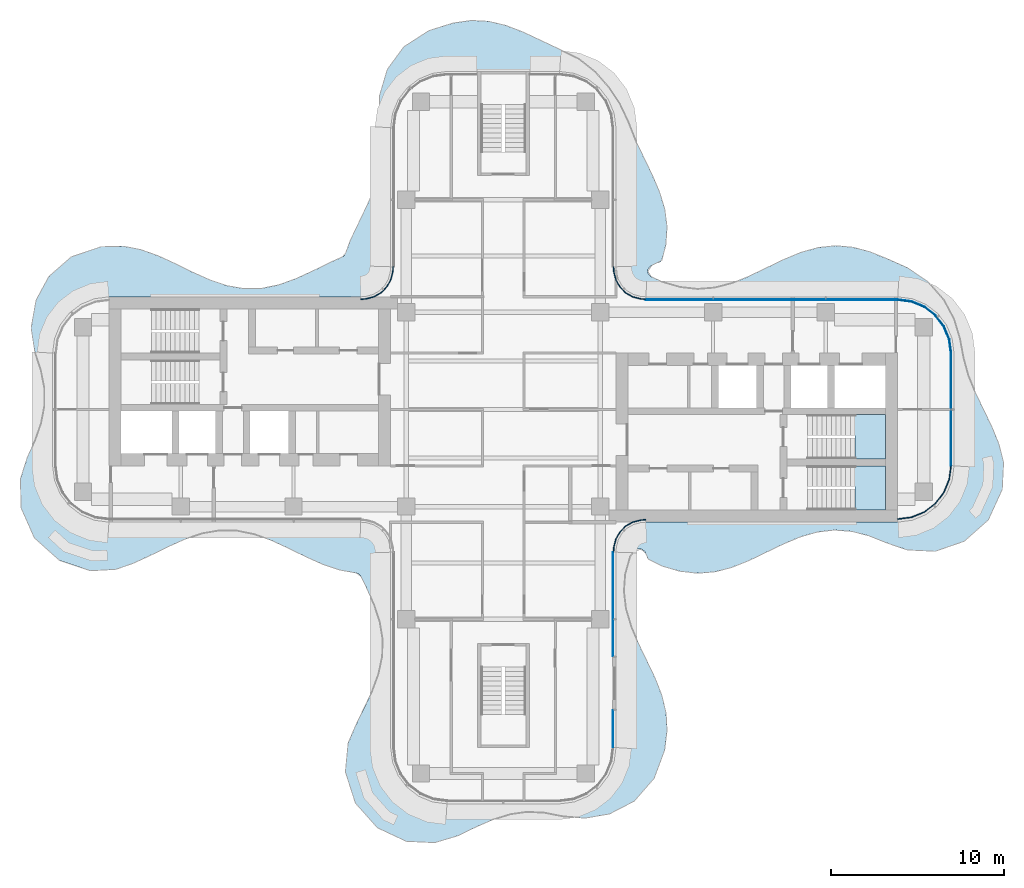
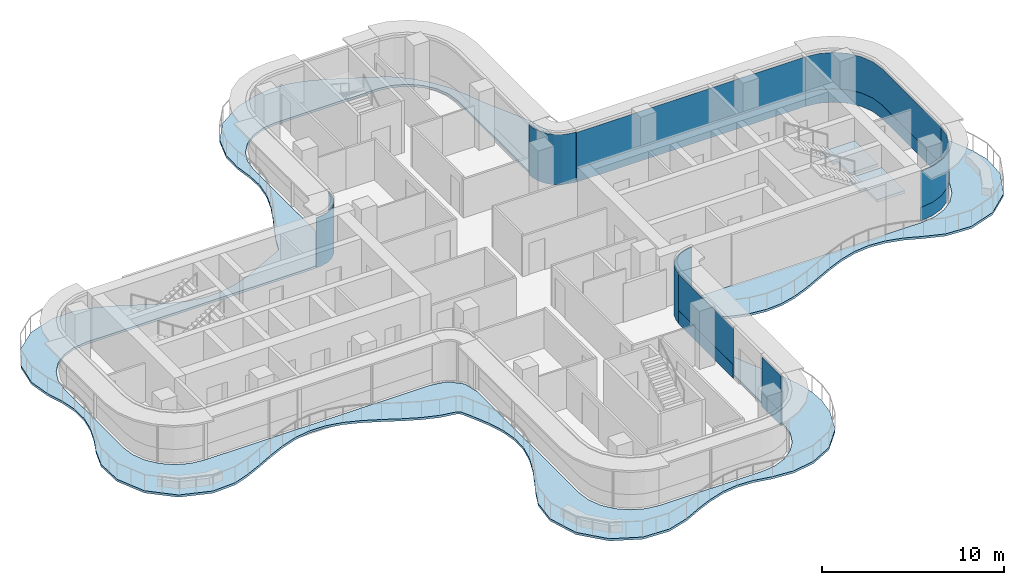
# One storey, part 9 of 15: 13 plates, 3 slabs, 10 elements without a shape of their own.
"""IFC4 building model written with IfcOpenShell, lengths in metres."""

from ifc_helpers import new_model, si_unit, direction, frame, origin, place, context, subcontext, project, spatial, polyline, outline, extrude, source, transform, mapped, material, layer, layer_set, type_object, element, aggregate, save


model = new_model("IFC4")

# Units and contexts
model_context = context("Model", 3, precision=1e-05, world=origin(), true_north=direction((0.0, 1.0)))
body_context = subcontext(model_context, "Body", "Model", "MODEL_VIEW")
ifc_project = project(units=[si_unit("LENGTHUNIT", "METRE"), si_unit("AREAUNIT", "SQUARE_METRE"), si_unit("VOLUMEUNIT", "CUBIC_METRE"), si_unit("PLANEANGLEUNIT", "RADIAN"), si_unit("MASSUNIT", "GRAM", prefix="KILO")], contexts=[model_context])

# Site, building, storey
site_placement = place(None, origin())
site = spatial("IfcSite", under=ifc_project, at=site_placement, CompositionType="ELEMENT")
building_placement = place(site_placement, origin())
building = spatial("IfcBuilding", under=site, at=building_placement, Name="Trellis Farm Tower", CompositionType="ELEMENT")
storey_placement = place(building_placement, frame((0.0, 0.0, 326.199951171875)))
storey = spatial("IfcBuildingStorey", under=building, at=storey_placement, Name="L74", CompositionType="ELEMENT", Elevation=326.199951171875)

# Slab
ifc_material_1 = material(Name="Concrete C40/50", Category="concrete")
ifc_layer_1 = layer(ifc_material_1, 0.14990234375)
ifc_layer_set_1 = layer_set([ifc_layer_1], Name="Balcony slab 150")
slab_type_1 = type_object("IfcSlabType", Name="Balcony slab 150", PredefinedType="FLOOR", material=ifc_layer_set_1)
slab_1_placement = place(storey_placement, frame((0.0, 0.0, -0.14990234375)))
element("IfcSlab", 1, at=slab_1_placement, inside=storey, type_object=slab_type_1, Name="Balcony slab", PredefinedType="FLOOR", context=body_context, shape_type="SweptSolid", body=[
    extrude(outline(polyline([(-27.0078125, -1.767333984375), (-26.667236328125, -0.789794921875), (-26.664306640625, -0.779052734375), (-26.4794921875, 0.197021484375), (-26.478271484375, 0.21142578125), (-26.482666015625, 1.2578125), (-26.484130859375, 1.27197265625), (-26.675537109375, 2.24560546875), (-26.677734375, 2.254638671875), (-27.017333984375, 3.288330078125), (-27.02294921875, 3.3115234375), (-27.2373046875, 4.6669921875), (-27.237060546875, 4.71630859375), (-26.966064453125, 6.2685546875), (-26.9501953125, 6.314208984375), (-26.208984375, 7.6796875), (-26.19384765625, 7.702392578125), (-26.171630859375, 7.72998046875), (-26.152587890625, 7.74951171875), (-24.92431640625, 8.802734375), (-24.900390625, 8.819580078125), (-24.8671875, 8.83837890625), (-24.84033203125, 8.85009765625), (-23.207763671875, 9.3857421875), (-23.1640625, 9.393310546875), (-21.92333984375, 9.418212890625), (-21.89111328125, 9.415283203125), (-20.915771484375, 9.222412109375), (-20.894287109375, 9.216552734375), (-19.90966796875, 8.864990234375), (-19.897216796875, 8.860107421875), (-18.90380859375, 8.40283203125), (-18.900390625, 8.401123046875), (-17.899169921875, 7.908935546875), (-17.896728515625, 7.90771484375), (-16.9267578125, 7.473876953125), (-16.919921875, 7.47119140625), (-15.942626953125, 7.143310546875), (-15.931640625, 7.140380859375), (-14.955078125, 6.97119140625), (-14.941162109375, 6.97021484375), (-13.95849609375, 6.985595703125), (-13.94482421875, 6.9873046875), (-12.952880859375, 7.189208984375), (-12.9423828125, 7.192138671875), (-11.94384765625, 7.552734375), (-11.937744140625, 7.55517578125), (-10.93505859375, 8.01904296875), (-10.93359375, 8.019775390625), (-9.940185546875, 8.508056640625), (-9.93505859375, 8.510498046875), (-9.301513671875, 8.79150390625), (-9.288818359375, 8.799072265625), (-9.19384765625, 8.8662109375), (-9.173583984375, 8.8876953125), (-9.112548828125, 8.986572265625), (-9.10595703125, 9.0), (-8.82080078125, 9.76708984375), (-8.816162109375, 9.7783203125), (-8.35791015625, 10.759765625), (-8.356689453125, 10.76220703125), (-7.865234375, 11.76416015625), (-7.86376953125, 11.766845703125), (-7.438232421875, 12.734619140625), (-7.435546875, 12.74169921875), (-7.12060546875, 13.718505859375), (-7.11767578125, 13.73046875), (-6.9609375, 14.773681640625), (-6.960205078125, 14.787841796875), (-7.00048828125, 15.75732421875), (-7.001220703125, 15.7646484375), (-7.15087890625, 16.831787109375), (-7.152587890625, 16.853759765625), (-7.14306640625, 18.093505859375), (-7.136962890625, 18.134765625), (-6.7138671875, 19.5732421875), (-6.691650390625, 19.61865234375), (-5.78515625, 20.87451171875), (-5.7666015625, 20.8955078125), (-5.740234375, 20.920654296875), (-5.71826171875, 20.93798828125), (-4.295654296875, 21.851806640625), (-4.259033203125, 21.868896484375), (-2.89453125, 22.293212890625), (-2.87109375, 22.298583984375), (-1.87158203125, 22.44091796875), (-1.8427734375, 22.4423828125), (-0.8759765625, 22.392578125), (-0.849365234375, 22.388916015625), (0.119384765625, 22.1611328125), (0.138916015625, 22.1552734375), (1.115234375, 21.781494140625), (1.12548828125, 21.777099609375), (3.152099609375, 20.823486328125), (3.154296875, 20.822509765625), (4.3291015625, 20.246337890625), (4.356201171875, 20.229248046875), (5.30078125, 19.479248046875), (5.320068359375, 19.460693359375), (6.0908203125, 18.58447265625), (6.10302734375, 18.568115234375), (6.707763671875, 17.654541015625), (6.71826171875, 17.635986328125), (7.2080078125, 16.601318359375), (7.212158203125, 16.591796875), (7.6416015625, 15.498291015625), (7.64404296875, 15.4931640625), (8.593505859375, 13.521484375), (8.59619140625, 13.515380859375), (9.015380859375, 12.534912109375), (9.02099609375, 12.519287109375), (9.313720703125, 11.5478515625), (9.318603515625, 11.523681640625), (9.443603515625, 10.55712890625), (9.444580078125, 10.528076171875), (9.37890625, 9.52880859375), (9.37451171875, 9.501220703125), (9.14501953125, 8.61328125), (9.056396484375, 8.511962890625), (8.5546875, 8.30712890625), (8.536865234375, 8.296630859375), (8.40380859375, 8.1923828125), (8.37939453125, 8.15771484375), (8.32958984375, 8.00830078125), (8.328369140625, 7.966064453125), (8.369384765625, 7.81396484375), (8.3916015625, 7.778076171875), (8.517822265625, 7.666748046875), (8.536376953125, 7.65478515625), (9.194580078125, 7.35595703125), (9.204833984375, 7.35205078125), (10.194091796875, 7.0673828125), (10.20654296875, 7.064697265625), (11.19384765625, 6.95458984375), (11.2080078125, 6.954345703125), (12.18701171875, 7.032958984375), (12.19970703125, 7.03515625), (13.17578125, 7.288330078125), (13.184814453125, 7.291259765625), (14.142333984375, 7.672607421875), (14.147216796875, 7.6748046875), (16.139892578125, 8.63525390625), (16.1474609375, 8.638671875), (17.14599609375, 9.05517578125), (17.162841796875, 9.06103515625), (18.142822265625, 9.33837890625), (18.16796875, 9.343505859375), (19.138916015625, 9.446533203125), (19.167724609375, 9.447021484375), (20.134521484375, 9.363525390625), (20.16015625, 9.359130859375), (21.130126953125, 9.101806640625), (21.147705078125, 9.095947265625), (22.12548828125, 8.701416015625), (22.13037109375, 8.69921875), (23.31591796875, 8.171142578125), (23.339599609375, 8.158203125), (24.510009765625, 7.360107421875), (24.538818359375, 7.334228515625), (25.4169921875, 6.317138671875), (25.43603515625, 6.288818359375), (26.001953125, 5.21240234375), (26.012939453125, 5.185302734375), (26.339111328125, 4.089599609375), (26.343017578125, 4.073974609375), (26.545166015625, 2.982177734375), (26.54638671875, 2.97607421875), (26.819091796875, 1.9765625), (26.822021484375, 1.968017578125), (27.222900390625, 0.988525390625), (27.224853515625, 0.984375), (28.176513671875, -0.987060546875), (28.180419921875, -0.99560546875), (28.57958984375, -1.972412109375), (28.586181640625, -1.99169921875), (28.851318359375, -3.01708984375), (28.855712890625, -3.061279296875), (28.790283203125, -4.551025390625), (28.7861328125, -4.579345703125), (28.777587890625, -4.615234375), (28.768310546875, -4.642333984375), (28.011962890625, -6.31494140625), (27.995849609375, -6.34228515625), (27.9716796875, -6.375), (27.9501953125, -6.3984375), (26.609375, -7.583251953125), (26.58544921875, -7.6005859375), (26.55224609375, -7.619873046875), (26.525390625, -7.632080078125), (24.941650390625, -8.17138671875), (24.914306640625, -8.177734375), (24.87890625, -8.182861328125), (24.85009765625, -8.18408203125), (23.33447265625, -8.107666015625), (23.29345703125, -8.099853515625), (22.133056640625, -7.701171875), (22.1259765625, -7.698486328125), (21.112060546875, -7.292724609375), (21.10302734375, -7.289794921875), (20.108642578125, -7.03271484375), (20.095703125, -7.030517578125), (19.110107421875, -6.95458984375), (19.095947265625, -6.955078125), (18.1181640625, -7.06689453125), (18.10595703125, -7.069580078125), (17.12939453125, -7.35107421875), (17.12109375, -7.35400390625), (16.14111328125, -7.764404296875), (16.137451171875, -7.76611328125), (14.166015625, -8.71728515625), (14.156005859375, -8.721435546875), (13.15771484375, -9.1181640625), (13.139404296875, -9.1240234375), (12.19091796875, -9.3671875), (12.165283203125, -9.371337890625), (11.198486328125, -9.4462890625), (11.16943359375, -9.44580078125), (10.169921875, -9.328369140625), (10.144775390625, -9.3232421875), (9.17431640625, -9.036376953125), (9.14990234375, -9.027099609375), (8.372314453125, -8.64111328125), (8.2958984375, -8.55126953125), (8.222900390625, -8.31689453125), (8.21630859375, -8.302001953125), (8.146484375, -8.18017578125), (8.122314453125, -8.154541015625), (8.0048828125, -8.079345703125), (7.989013671875, -8.071533203125), (7.949951171875, -8.058349609375), (7.927490234375, -8.05419921875), (7.749267578125, -8.050537109375), (7.70654296875, -8.063232421875), (7.559326171875, -8.163818359375), (7.54248046875, -8.179443359375), (7.316650390625, -8.46875), (7.308349609375, -8.482177734375), (7.251708984375, -8.598876953125), (7.24609375, -8.613525390625), (7.02734375, -9.493408203125), (7.025390625, -9.506103515625), (6.955078125, -10.485107421875), (6.95556640625, -10.49951171875), (7.07421875, -11.487060546875), (7.076904296875, -11.49951171875), (7.384033203125, -12.5322265625), (7.386962890625, -12.540283203125), (7.806396484375, -13.52099609375), (7.8076171875, -13.52392578125), (8.757080078125, -15.49560546875), (8.761962890625, -15.506591796875), (9.140869140625, -16.482666015625), (9.146728515625, -16.501953125), (9.386474609375, -17.50146484375), (9.390380859375, -17.5283203125), (9.443359375, -18.49755859375), (9.4423828125, -18.5234375), (9.31005859375, -19.6318359375), (9.302001953125, -19.666015625), (8.727783203125, -21.221923828125), (8.716064453125, -21.24658203125), (8.6982421875, -21.276611328125), (8.682373046875, -21.298583984375), (7.574462890625, -22.5712890625), (7.55419921875, -22.5908203125), (7.52587890625, -22.613037109375), (7.501708984375, -22.628662109375), (6.1640625, -23.316650390625), (6.12109375, -23.3310546875), (4.74560546875, -23.571044921875), (4.707763671875, -23.57275390625), (3.453125, -23.469970703125), (3.436279296875, -23.467529296875), (2.351318359375, -23.25439453125), (2.340087890625, -23.2529296875), (1.349609375, -23.211181640625), (1.3359375, -23.2119140625), (0.413818359375, -23.344482421875), (0.402099609375, -23.346923828125), (-0.629638671875, -23.668212890625), (-0.63720703125, -23.6708984375), (-1.603759765625, -24.092041015625), (-1.606689453125, -24.093505859375), (-2.61083984375, -24.5830078125), (-2.633056640625, -24.591796875), (-3.907958984375, -24.977783203125), (-3.957275390625, -24.98388671875), (-5.530517578125, -24.92236328125), (-5.559814453125, -24.918212890625), (-5.59716796875, -24.9091796875), (-5.625, -24.8994140625), (-7.211181640625, -24.162109375), (-7.2373046875, -24.146484375), (-7.26904296875, -24.123046875), (-7.29150390625, -24.102294921875), (-8.512939453125, -22.731201171875), (-8.53125, -22.70556640625), (-8.551513671875, -22.669921875), (-8.564208984375, -22.640869140625), (-9.110107421875, -20.899169921875), (-9.1162109375, -20.86962890625), (-9.1201171875, -20.831298828125), (-9.1201171875, -20.80029296875), (-8.962158203125, -19.2822265625), (-8.950927734375, -19.239013671875), (-8.531982421875, -18.25830078125), (-8.52880859375, -18.2509765625), (-8.042236328125, -17.260009765625), (-8.04150390625, -17.2587890625), (-7.57470703125, -16.255859375), (-7.572265625, -16.25), (-7.20556640625, -15.251220703125), (-7.202392578125, -15.24072265625), (-6.992431640625, -14.24853515625), (-6.990966796875, -14.235107421875), (-6.966796875, -13.251953125), (-6.9677734375, -13.238037109375), (-7.12890625, -12.26123046875), (-7.131591796875, -12.25), (-7.453369140625, -11.27294921875), (-7.455810546875, -11.265869140625), (-7.8916015625, -10.284423828125), (-7.892822265625, -10.281982421875), (-8.213134765625, -9.63037109375), (-8.22265625, -9.615478515625), (-8.309814453125, -9.510498046875), (-8.33740234375, -9.48974609375), (-8.462890625, -9.435546875), (-8.4794921875, -9.430419921875), (-9.4130859375, -9.26513671875), (-9.434326171875, -9.259521484375), (-10.392578125, -8.939697265625), (-10.40625, -8.9345703125), (-11.3984375, -8.491455078125), (-11.4033203125, -8.4892578125), (-12.395263671875, -8.001220703125), (-12.39697265625, -8.00048828125), (-13.37939453125, -7.547607421875), (-13.38525390625, -7.544921875), (-14.36328125, -7.192626953125), (-14.37353515625, -7.189697265625), (-15.349853515625, -6.9892578125), (-15.36328125, -6.987548828125), (-16.344482421875, -6.96875), (-16.3583984375, -6.9697265625), (-17.3486328125, -7.138916015625), (-17.360107421875, -7.141845703125), (-18.357666015625, -7.47705078125), (-18.364501953125, -7.4794921875), (-19.36669921875, -7.9296875), (-19.368896484375, -7.930908203125), (-20.365234375, -8.421142578125), (-20.368896484375, -8.423095703125), (-21.352294921875, -8.873046875), (-21.364501953125, -8.878173828125), (-22.318115234375, -9.21533203125), (-22.359130859375, -9.2236328125), (-23.760986328125, -9.3056640625), (-23.789794921875, -9.3046875), (-23.82568359375, -9.2998046875), (-23.853271484375, -9.29345703125), (-25.598876953125, -8.7099609375), (-25.62744140625, -8.697021484375), (-25.662109375, -8.676513671875), (-25.687255859375, -8.657958984375), (-27.02880859375, -7.43212890625), (-27.049560546875, -7.408935546875), (-27.072998046875, -7.37646484375), (-27.08837890625, -7.349365234375), (-27.797119140625, -5.74267578125), (-27.806396484375, -5.715087890625), (-27.814697265625, -5.678466796875), (-27.818115234375, -5.649658203125), (-27.862060546875, -4.053466796875), (-27.85498046875, -4.003662109375), (-27.46044921875, -2.769287109375), (-27.4541015625, -2.753173828125), (-27.01025390625, -1.773681640625), (-27.0078125, -1.767333984375)]), holes=[polyline([(-6.593017578125, 7.72998046875), (-7.0166015625, 7.00244140625), (-7.045166015625, 6.967041015625), (-7.0869140625, 6.928955078125), (-7.124755859375, 6.90380859375), (-7.896484375, 6.545654296875), (-7.92578125, 6.53564453125), (-7.96435546875, 6.526611328125), (-7.994873046875, 6.522705078125), (-8.91552734375, 6.50048828125), (-22.75, 6.50048828125), (-23.59130859375, 6.389892578125), (-24.375244140625, 6.065185546875), (-25.048583984375, 5.548583984375), (-25.565185546875, 4.875244140625), (-25.889892578125, 4.09130859375), (-26.00048828125, 3.25), (-26.00048828125, -3.25), (-25.889892578125, -4.09130859375), (-25.565185546875, -4.875244140625), (-25.048583984375, -5.548583984375), (-24.375244140625, -6.065185546875), (-23.59130859375, -6.389892578125), (-22.75, -6.50048828125), (-8.43701171875, -6.50048828125), (-8.41796875, -6.502197265625), (-7.5166015625, -6.66064453125), (-7.47509765625, -6.67431640625), (-7.42724609375, -6.698486328125), (-7.391845703125, -6.72314453125), (-6.78564453125, -7.29248046875), (-6.7587890625, -7.326416015625), (-6.731689453125, -7.37255859375), (-6.71533203125, -7.413330078125), (-6.504150390625, -8.30078125), (-6.50048828125, -8.33056640625), (-6.50048828125, -19.5), (-6.389892578125, -20.34130859375), (-6.065185546875, -21.125244140625), (-5.548583984375, -21.798583984375), (-4.875244140625, -22.315185546875), (-4.09130859375, -22.639892578125), (-3.25, -22.75048828125), (3.25, -22.75048828125), (4.09130859375, -22.639892578125), (4.875244140625, -22.315185546875), (5.548583984375, -21.798583984375), (6.065185546875, -21.125244140625), (6.389892578125, -20.34130859375), (6.50048828125, -19.5), (6.50048828125, -14.7783203125), (6.50146484375, -8.531982421875), (6.502685546875, -8.51318359375), (6.6162109375, -7.62060546875), (6.627197265625, -7.580810546875), (6.6474609375, -7.532958984375), (6.6689453125, -7.49755859375), (7.19287109375, -6.849853515625), (7.2255859375, -6.81982421875), (7.270751953125, -6.789306640625), (7.31201171875, -6.769775390625), (8.18359375, -6.509521484375), (8.2265625, -6.50341796875), (19.6259765625, -6.50048828125), (22.75, -6.50048828125), (23.59130859375, -6.389892578125), (24.375244140625, -6.065185546875), (25.048583984375, -5.548583984375), (25.565185546875, -4.875244140625), (25.889892578125, -4.09130859375), (26.00048828125, -3.25), (26.00048828125, 3.25), (25.889892578125, 4.09130859375), (25.565185546875, 4.875244140625), (25.048583984375, 5.548583984375), (24.375244140625, 6.065185546875), (23.59130859375, 6.389892578125), (22.75, 6.50048828125), (19.626220703125, 6.50048828125), (8.2265625, 6.50341796875), (8.18359375, 6.509521484375), (7.31201171875, 6.769775390625), (7.270751953125, 6.789306640625), (7.2255859375, 6.81982421875), (7.19287109375, 6.849853515625), (6.6689453125, 7.49755859375), (6.6474609375, 7.532958984375), (6.627197265625, 7.580810546875), (6.6162109375, 7.62060546875), (6.502685546875, 8.51318359375), (6.50146484375, 8.531982421875), (6.50048828125, 12.0361328125), (6.50048828125, 16.25), (6.389892578125, 17.09130859375), (6.065185546875, 17.875244140625), (5.548583984375, 18.548583984375), (4.875244140625, 19.065185546875), (4.09130859375, 19.389892578125), (3.25, 19.50048828125), (-3.25, 19.50048828125), (-4.09130859375, 19.389892578125), (-4.875244140625, 19.065185546875), (-5.548583984375, 18.548583984375), (-6.065185546875, 17.875244140625), (-6.389892578125, 17.09130859375), (-6.50048828125, 16.25), (-6.50048828125, 8.7666015625), (-6.56005859375, 7.838134765625), (-6.56640625, 7.80419921875), (-6.5791015625, 7.76171875), (-6.593017578125, 7.72998046875)])]), origin(), (0.0, 0.0, 1.0), 0.14990234375),
])

# Curtain wall, plate
ifc_material_2 = material(Name="Aluminium and glass curtain wall", Category="aluminium")
ifc_layer_2 = layer(ifc_material_2, 0.18994140625)
ifc_layer_set_2 = layer_set([ifc_layer_2], Name="RIBBON CURTAIN WALL CW1")
curtain_wall_type_1 = type_object("IfcCurtainWallType", Name="RIBBON CURTAIN WALL CW1", PredefinedType="NOTDEFINED", material=ifc_layer_set_2)
placement_1 = place(storey_placement, origin())
curtain_wall_1 = element("IfcCurtainWall", 2, at=placement_1, inside=storey, type_object=curtain_wall_type_1, Name="CW1 004", PredefinedType="NOTDEFINED")
ifc_material_3 = material(Name="Clear insulated glass", Category="glass")
ifc_layer_3 = layer(ifc_material_3, 0.0400390625)
ifc_layer_set_3 = layer_set([ifc_layer_3], Name="CW1 GLASS PANEL 40")
plate_type_1 = type_object("IfcPlateType", Name="CW1 GLASS PANEL 40", PredefinedType="CURTAIN_PANEL", material=ifc_layer_set_3)
placement_2 = place(storey_placement, frame((0.0, 0.0, 0.900146484375)))
plate_1 = element("IfcPlate", 3, at=placement_2, type_object=plate_type_1, Name="PL1 004", PredefinedType="CURTAIN_PANEL", context=body_context, shape_type="SweptSolid", body=[
    extrude(outline(polyline([(6.35009765625, -19.490234375), (6.35009765625, -17.360107421875), (6.31005859375, -17.360107421875), (6.31005859375, -19.487548828125), (6.35009765625, -19.490234375)])), origin(), (0.0, 0.0, 1.0), 2.419921875),
])

curtain_wall_2 = element("IfcCurtainWall", 4, at=placement_1, inside=storey, type_object=curtain_wall_type_1, Name="CW1 005", PredefinedType="NOTDEFINED")
plate_2 = element("IfcPlate", 5, at=placement_2, type_object=plate_type_1, Name="PL1 005", PredefinedType="CURTAIN_PANEL", context=body_context, shape_type="SweptSolid", body=[
    extrude(outline(polyline([(6.35009765625, -14.239990234375), (6.35009765625, -8.2265625), (6.31005859375, -8.22509765625), (6.31005859375, -14.239990234375), (6.35009765625, -14.239990234375)])), origin(), (0.0, 0.0, 1.0), 2.419921875),
])

curtain_wall_3 = element("IfcCurtainWall", 6, at=placement_1, inside=storey, type_object=curtain_wall_type_1, Name="CW1 006", PredefinedType="NOTDEFINED")
plate_3 = element("IfcPlate", 7, at=placement_2, type_object=plate_type_1, Name="PL1 006", PredefinedType="CURTAIN_PANEL", context=body_context, shape_type="SweptSolid", body=[
    extrude(outline(polyline([(22.740234375, -6.35009765625), (23.552001953125, -6.2431640625), (24.29931640625, -5.93359375), (24.941162109375, -5.441162109375), (25.43359375, -4.79931640625), (25.7431640625, -4.052001953125), (25.85009765625, -3.240234375), (25.81005859375, -3.237548828125), (25.7041015625, -4.04150390625), (25.398681640625, -4.779296875), (24.91259765625, -5.41259765625), (24.279296875, -5.898681640625), (23.54150390625, -6.2041015625), (22.737548828125, -6.31005859375), (22.740234375, -6.35009765625)])), origin(), (0.0, 0.0, 1.0), 2.419921875),
])

curtain_wall_4 = element("IfcCurtainWall", 8, at=placement_1, inside=storey, type_object=curtain_wall_type_1, Name="CW1 007", PredefinedType="NOTDEFINED")
plate_4 = element("IfcPlate", 9, at=placement_2, type_object=plate_type_1, Name="PL1 007", PredefinedType="CURTAIN_PANEL", context=body_context, shape_type="SweptSolid", body=[
    extrude(outline(polyline([(25.85009765625, -3.240234375), (25.85009765625, 3.240234375), (25.7431640625, 4.052001953125), (25.43359375, 4.79931640625), (24.941162109375, 5.441162109375), (24.29931640625, 5.93359375), (23.552001953125, 6.2431640625), (22.740234375, 6.35009765625), (22.737548828125, 6.31005859375), (23.54150390625, 6.2041015625), (24.279296875, 5.898681640625), (24.91259765625, 5.41259765625), (25.398681640625, 4.779296875), (25.7041015625, 4.04150390625), (25.81005859375, 3.237548828125), (25.81005859375, -3.237548828125), (25.85009765625, -3.240234375)])), origin(), (0.0, 0.0, 1.0), 2.419921875),
])

curtain_wall_5 = element("IfcCurtainWall", 10, at=placement_1, inside=storey, type_object=curtain_wall_type_1, Name="CW1 008", PredefinedType="NOTDEFINED")
plate_5 = element("IfcPlate", 11, at=placement_2, type_object=plate_type_1, Name="PL1 008", PredefinedType="CURTAIN_PANEL", context=body_context, shape_type="SweptSolid", body=[
    extrude(outline(polyline([(22.740234375, 6.35009765625), (8.2265625, 6.35009765625), (8.22509765625, 6.31005859375), (22.737548828125, 6.31005859375), (22.740234375, 6.35009765625)])), origin(), (0.0, 0.0, 1.0), 2.419921875),
])

ifc_layer_4 = layer(ifc_material_2, 0.166015625)
ifc_layer_set_4 = layer_set([ifc_layer_4], Name="WINTER GARDEN CURTAIN WALL CW3")
curtain_wall_type_2 = type_object("IfcCurtainWallType", Name="WINTER GARDEN CURTAIN WALL CW3", PredefinedType="NOTDEFINED", material=ifc_layer_set_4)
curtain_wall_6 = element("IfcCurtainWall", 12, at=placement_1, inside=storey, type_object=curtain_wall_type_2, Name="CW3 002", PredefinedType="NOTDEFINED")
ifc_layer_5 = layer(ifc_material_3, 0.0458984375)
ifc_layer_set_5 = layer_set([ifc_layer_5], Name="CW3 GLASS PANEL 46")
plate_type_2 = type_object("IfcPlateType", Name="CW3 GLASS PANEL 46", PredefinedType="CURTAIN_PANEL", material=ifc_layer_set_5)
plate_6 = element("IfcPlate", 13, at=placement_1, type_object=plate_type_2, Name="PL3 002", PredefinedType="CURTAIN_PANEL", context=body_context, shape_type="SweptSolid", body=[
    extrude(outline(polyline([(6.3798828125, -8.2275390625), (6.394287109375, -8.0078125), (6.40966796875, -7.89208984375), (6.52490234375, -7.462158203125), (6.7509765625, -7.070556640625), (7.070556640625, -6.7509765625), (7.462158203125, -6.52490234375), (7.89208984375, -6.40966796875), (8.0078125, -6.394287109375), (8.2275390625, -6.3798828125), (8.22607421875, -6.333984375), (8.003173828125, -6.3486328125), (7.883056640625, -6.364501953125), (7.4443359375, -6.48193359375), (7.04248046875, -6.714111328125), (6.714111328125, -7.04248046875), (6.48193359375, -7.4443359375), (6.364501953125, -7.883056640625), (6.3486328125, -8.003173828125), (6.333984375, -8.22607421875), (6.3798828125, -8.2275390625)])), origin(), (0.0, 0.0, 1.0), 3.35009765625),
])
aggregate(curtain_wall_6, [plate_6])

curtain_wall_7 = element("IfcCurtainWall", 14, at=placement_1, inside=storey, type_object=curtain_wall_type_2, Name="CW3 003", PredefinedType="NOTDEFINED")
plate_7 = element("IfcPlate", 15, at=placement_1, type_object=plate_type_2, Name="PL3 003", PredefinedType="CURTAIN_PANEL", context=body_context, shape_type="SweptSolid", body=[
    extrude(outline(polyline([(8.2275390625, 6.3798828125), (8.0078125, 6.394287109375), (7.89208984375, 6.40966796875), (7.462158203125, 6.52490234375), (7.070556640625, 6.7509765625), (6.7509765625, 7.070556640625), (6.52490234375, 7.462158203125), (6.40966796875, 7.89208984375), (6.394287109375, 8.0078125), (6.3798828125, 8.2275390625), (6.333984375, 8.22607421875), (6.3486328125, 8.003173828125), (6.364501953125, 7.883056640625), (6.48193359375, 7.4443359375), (6.714111328125, 7.04248046875), (7.04248046875, 6.714111328125), (7.4443359375, 6.48193359375), (7.883056640625, 6.364501953125), (8.003173828125, 6.3486328125), (8.22607421875, 6.333984375), (8.2275390625, 6.3798828125)])), origin(), (0.0, 0.0, 1.0), 3.35009765625),
])
aggregate(curtain_wall_7, [plate_7])

curtain_wall_8 = element("IfcCurtainWall", 16, at=placement_1, inside=storey, type_object=curtain_wall_type_2, Name="CW3 004", PredefinedType="NOTDEFINED")
plate_8 = element("IfcPlate", 17, at=placement_1, type_object=plate_type_2, Name="PL3 004", PredefinedType="CURTAIN_PANEL", context=body_context, shape_type="SweptSolid", body=[
    extrude(outline(polyline([(-6.3798828125, 8.2275390625), (-6.394287109375, 8.0078125), (-6.40966796875, 7.89208984375), (-6.52490234375, 7.462158203125), (-6.7509765625, 7.070556640625), (-7.070556640625, 6.7509765625), (-7.462158203125, 6.52490234375), (-7.89208984375, 6.40966796875), (-8.0078125, 6.394287109375), (-8.2275390625, 6.3798828125), (-8.22607421875, 6.333984375), (-8.003173828125, 6.3486328125), (-7.883056640625, 6.364501953125), (-7.4443359375, 6.48193359375), (-7.04248046875, 6.714111328125), (-6.714111328125, 7.04248046875), (-6.48193359375, 7.4443359375), (-6.364501953125, 7.883056640625), (-6.3486328125, 8.003173828125), (-6.333984375, 8.22607421875), (-6.3798828125, 8.2275390625)])), origin(), (0.0, 0.0, 1.0), 3.35009765625),
])
aggregate(curtain_wall_8, [plate_8])

# Stair, slab
ifc_material_4 = material(Name="Concrete C50/60", Category="concrete")
stair_type = type_object("IfcStairType", Name="CORE EXIT STAIR 22 RISERS 177 MM", PredefinedType="HALF_TURN_STAIR", material=ifc_material_4)
stair_1 = element("IfcStair", 18, at=placement_1, inside=storey, type_object=stair_type, Name="Exit stair E1", PredefinedType="HALF_TURN_STAIR")
ifc_layer_6 = layer(ifc_material_4, 0.18994140625)
ifc_layer_set_6 = layer_set([ifc_layer_6], Name="CORE STAIR LANDING 190 CONCRETE C50/60")
slab_type_2 = type_object("IfcSlabType", Name="CORE STAIR LANDING 190 CONCRETE C50/60", PredefinedType="LANDING", material=ifc_layer_set_6)
shared_shape_1 = source(origin(), body_context, "Body", "SweptSolid", [
    extrude(outline(polyline([(20.2900390625, -5.800048828125), (20.2900390625, -4.60009765625), (20.300048828125, -4.60009765625), (20.300048828125, -4.449951171875), (19.971923828125, -4.449951171875), (19.971923828125, -3.25), (20.300048828125, -3.25), (22.050048828125, -3.25), (22.050048828125, -5.800048828125), (20.300048828125, -5.800048828125), (20.2900390625, -5.800048828125)])), origin(), (0.0, 0.0, 1.0), 0.18994140625),
])
placement_3 = place(storey_placement, frame((0.0, 0.0, 1.760009765625)))
slab_2 = element("IfcSlab", 19, at=placement_3, type_object=slab_type_2, Name="STE1 landing 1", PredefinedType="LANDING", context=body_context, shape_type="MappedRepresentation", body=[
    mapped(shared_shape_1, transform((0.0, 0.0, 0.0))),
])
aggregate(stair_1, [slab_2])

stair_2 = element("IfcStair", 20, at=placement_1, inside=storey, type_object=stair_type, Name="Exit stair E2", PredefinedType="HALF_TURN_STAIR")
shared_shape_2 = source(origin(), body_context, "Body", "SweptSolid", [
    extrude(outline(polyline([(20.2900390625, -2.85009765625), (20.2900390625, -1.64990234375), (20.300048828125, -1.64990234375), (20.300048828125, -1.5), (19.971923828125, -1.5), (19.971923828125, -0.300048828125), (20.300048828125, -0.300048828125), (22.050048828125, -0.300048828125), (22.050048828125, -2.85009765625), (20.300048828125, -2.85009765625), (20.2900390625, -2.85009765625)])), origin(), (0.0, 0.0, 1.0), 0.18994140625),
])
slab_3 = element("IfcSlab", 21, at=placement_3, type_object=slab_type_2, Name="STE2 landing 1", PredefinedType="LANDING", context=body_context, shape_type="MappedRepresentation", body=[
    mapped(shared_shape_2, transform((0.0, 0.0, 0.0))),
])
aggregate(stair_2, [slab_3])

# Plate
ifc_material_5 = material(Name="Sandstone faced insulated panel", Category="masonry")
ifc_layer_7 = layer(ifc_material_5, 0.050048828125)
ifc_layer_set_7 = layer_set([ifc_layer_7], Name="CW1 STONE SPANDREL PANEL 50")
plate_type_3 = type_object("IfcPlateType", Name="CW1 STONE SPANDREL PANEL 50", PredefinedType="CURTAIN_PANEL", material=ifc_layer_set_7)
shared_shape_3 = source(origin(), body_context, "Body", "SweptSolid", [
    extrude(outline(polyline([(22.740234375, -6.35009765625), (23.552001953125, -6.2431640625), (24.29931640625, -5.93359375), (24.941162109375, -5.441162109375), (25.43359375, -4.79931640625), (25.7431640625, -4.052001953125), (25.85009765625, -3.240234375), (25.800048828125, -3.23681640625), (25.6943359375, -4.0390625), (25.389892578125, -4.774169921875), (24.905517578125, -5.405517578125), (24.274169921875, -5.889892578125), (23.5390625, -6.1943359375), (22.73681640625, -6.300048828125), (22.740234375, -6.35009765625)])), origin(), (0.0, 0.0, 1.0), 0.900146484375),
])
plate_9 = element("IfcPlate", 22, at=placement_1, type_object=plate_type_3, Name="PS1 006", PredefinedType="CURTAIN_PANEL", context=body_context, shape_type="MappedRepresentation", body=[
    mapped(shared_shape_3, transform((0.0, 0.0, 0.0))),
])

aggregate(curtain_wall_3, [plate_3, plate_9])

shared_shape_4 = source(origin(), body_context, "Body", "SweptSolid", [
    extrude(outline(polyline([(22.740234375, 6.35009765625), (8.2265625, 6.35009765625), (8.224853515625, 6.300048828125), (22.73681640625, 6.300048828125), (22.740234375, 6.35009765625)])), origin(), (0.0, 0.0, 1.0), 0.900146484375),
])
plate_10 = element("IfcPlate", 23, at=placement_1, type_object=plate_type_3, Name="PS1 008", PredefinedType="CURTAIN_PANEL", context=body_context, shape_type="MappedRepresentation", body=[
    mapped(shared_shape_4, transform((0.0, 0.0, 0.0))),
])

aggregate(curtain_wall_5, [plate_5, plate_10])

shared_shape_5 = source(origin(), body_context, "Body", "SweptSolid", [
    extrude(outline(polyline([(25.85009765625, -3.240234375), (25.85009765625, 3.240234375), (25.7431640625, 4.052001953125), (25.43359375, 4.79931640625), (24.941162109375, 5.441162109375), (24.29931640625, 5.93359375), (23.552001953125, 6.2431640625), (22.740234375, 6.35009765625), (22.73681640625, 6.300048828125), (23.5390625, 6.1943359375), (24.274169921875, 5.889892578125), (24.905517578125, 5.405517578125), (25.389892578125, 4.774169921875), (25.6943359375, 4.0390625), (25.800048828125, 3.23681640625), (25.800048828125, -3.23681640625), (25.85009765625, -3.240234375)])), origin(), (0.0, 0.0, 1.0), 0.900146484375),
])
plate_11 = element("IfcPlate", 24, at=placement_1, type_object=plate_type_3, Name="PS1 007", PredefinedType="CURTAIN_PANEL", context=body_context, shape_type="MappedRepresentation", body=[
    mapped(shared_shape_5, transform((0.0, 0.0, 0.0))),
])

aggregate(curtain_wall_4, [plate_4, plate_11])

shared_shape_6 = source(origin(), body_context, "Body", "SweptSolid", [
    extrude(outline(polyline([(6.35009765625, -19.490234375), (6.35009765625, -17.360107421875), (6.300048828125, -17.360107421875), (6.300048828125, -19.48681640625), (6.35009765625, -19.490234375)])), origin(), (0.0, 0.0, 1.0), 0.900146484375),
])
plate_12 = element("IfcPlate", 25, at=placement_1, type_object=plate_type_3, Name="PS1 004", PredefinedType="CURTAIN_PANEL", context=body_context, shape_type="MappedRepresentation", body=[
    mapped(shared_shape_6, transform((0.0, 0.0, 0.0))),
])

aggregate(curtain_wall_1, [plate_1, plate_12])

shared_shape_7 = source(origin(), body_context, "Body", "SweptSolid", [
    extrude(outline(polyline([(6.35009765625, -14.239990234375), (6.35009765625, -8.2265625), (6.300048828125, -8.224853515625), (6.300048828125, -14.239990234375), (6.35009765625, -14.239990234375)])), origin(), (0.0, 0.0, 1.0), 0.900146484375),
])
plate_13 = element("IfcPlate", 26, at=placement_1, type_object=plate_type_3, Name="PS1 005", PredefinedType="CURTAIN_PANEL", context=body_context, shape_type="MappedRepresentation", body=[
    mapped(shared_shape_7, transform((0.0, 0.0, 0.0))),
])

aggregate(curtain_wall_2, [plate_2, plate_13])

save(model, "model.ifc")
